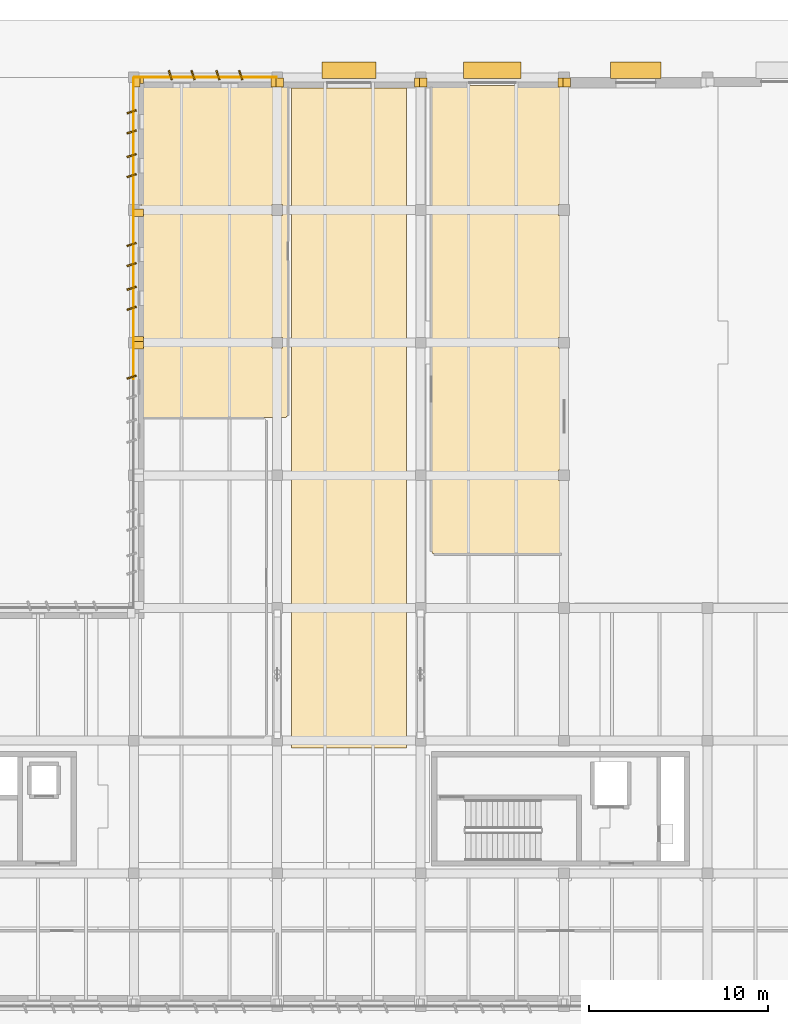
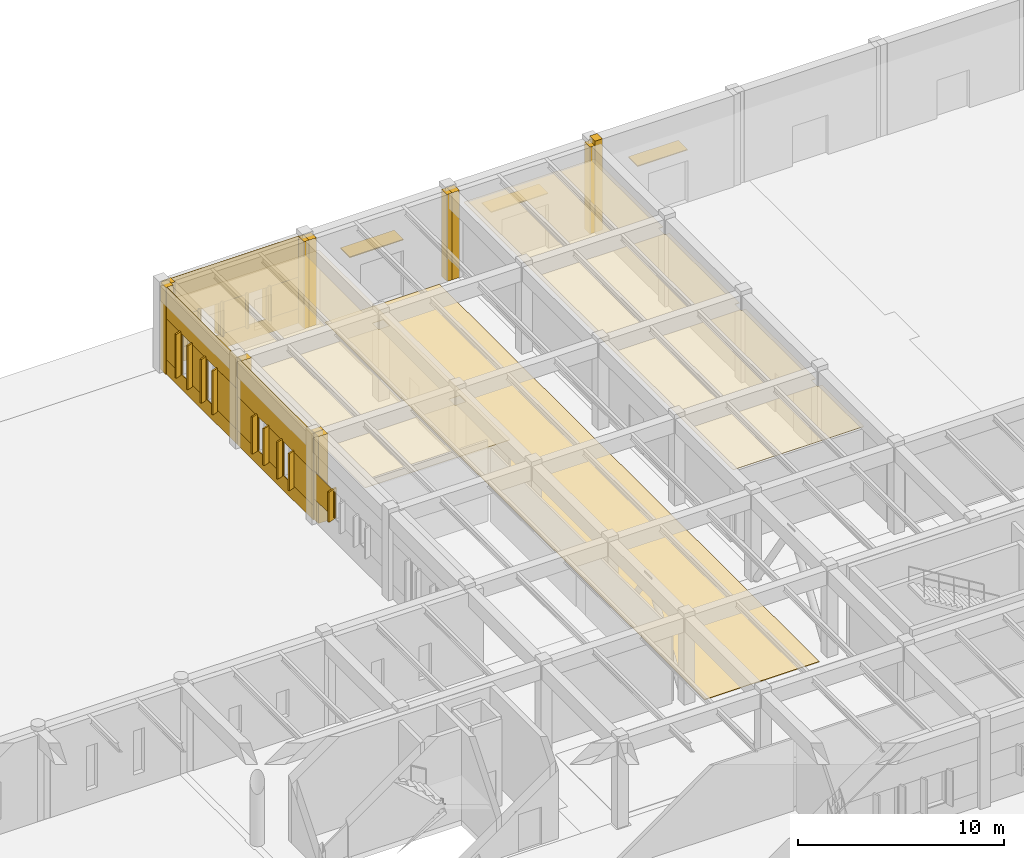
# One storey, part 51 of 56: 43 coverings, 3 shading devices.
"""IFC4 building model written with IfcOpenShell, lengths in metres."""

from ifc_helpers import new_model, si_unit, direction, frame, frame_2d, origin, origin_2d, place, context, subcontext, project, spatial, polyline, rectangle, outline, extrude, material, layer, layer_set, type_object, element, save


model = new_model("IFC4")

# Units and contexts
model_context = context("Model", 3, precision=1e-05, world=origin(), true_north=direction((0.0, 1.0)))
body_context = subcontext(model_context, "Body", "Model", "MODEL_VIEW")
ifc_project = project(units=[si_unit("LENGTHUNIT", "METRE"), si_unit("AREAUNIT", "SQUARE_METRE"), si_unit("VOLUMEUNIT", "CUBIC_METRE"), si_unit("PLANEANGLEUNIT", "RADIAN"), si_unit("MASSUNIT", "GRAM", prefix="KILO")], contexts=[model_context])

# Site, building, storey
site_placement = place(None, origin())
site = spatial("IfcSite", under=ifc_project, at=site_placement, CompositionType="ELEMENT")
building_placement = place(site_placement, origin())
building = spatial("IfcBuilding", under=site, at=building_placement, Name="Valkorina Park Police Headquarters", CompositionType="ELEMENT")
storey_placement = place(building_placement, origin())
storey = spatial("IfcBuildingStorey", under=building, at=storey_placement, Name="L01", CompositionType="ELEMENT", Elevation=0.0)

# Coverings
ifc_material_1 = material(Name="Acoustic mineral board")
ifc_layer_1 = layer(ifc_material_1, 0.02490234375)
ifc_layer_set_1 = layer_set([ifc_layer_1], Name="Acoustic mineral board")
covering_type_1 = type_object("IfcCoveringType", Name="COV-CEILING-ACOUST", PredefinedType="CEILING", material=ifc_layer_set_1)
covering_1_placement = place(storey_placement, frame((0.0, 0.0, 4.264892578125)))
element("IfcCovering", 1, at=covering_1_placement, inside=storey, type_object=covering_type_1, Name="Defensive Tactics Dojo Acoustic Suspended Ceiling", PredefinedType="CEILING", context=body_context, shape_type="SweptSolid", body=[
    extrude(outline(polyline([(120.758544921875, 103.92431640625), (120.759521484375, 103.93212890625), (120.760009765625, 103.93994140625), (120.760009765625, 110.47998046875), (120.759521484375, 110.48779296875), (120.758544921875, 110.49560546875), (120.756591796875, 110.503173828125), (120.75390625, 110.510498046875), (120.75048828125, 110.517578125), (120.74658203125, 110.5244140625), (120.74169921875, 110.53076171875), (120.736572265625, 110.53662109375), (120.730712890625, 110.541748046875), (120.724365234375, 110.54638671875), (120.7177734375, 110.550537109375), (120.710693359375, 110.553955078125), (120.703125, 110.556640625), (120.695556640625, 110.55859375), (120.687744140625, 110.5595703125), (120.679931640625, 110.56005859375), (113.52001953125, 110.56005859375), (113.51220703125, 110.5595703125), (113.50439453125, 110.55859375), (113.496826171875, 110.556640625), (113.489501953125, 110.553955078125), (113.482421875, 110.550537109375), (113.4755859375, 110.54638671875), (113.46923828125, 110.541748046875), (113.46337890625, 110.53662109375), (113.458251953125, 110.53076171875), (113.45361328125, 110.5244140625), (113.449462890625, 110.517578125), (113.446044921875, 110.510498046875), (113.443359375, 110.503173828125), (113.44140625, 110.49560546875), (113.4404296875, 110.48779296875), (113.43994140625, 110.47998046875), (113.43994140625, 84.52001953125), (113.4404296875, 84.51220703125), (113.44140625, 84.50439453125), (113.443359375, 84.496826171875), (113.446044921875, 84.489501953125), (113.449462890625, 84.482421875), (113.45361328125, 84.4755859375), (113.458251953125, 84.46923828125), (113.46337890625, 84.46337890625), (113.46923828125, 84.458251953125), (113.4755859375, 84.45361328125), (113.482421875, 84.449462890625), (113.489501953125, 84.446044921875), (113.496826171875, 84.443359375), (113.50439453125, 84.44140625), (113.51220703125, 84.4404296875), (113.52001953125, 84.43994140625), (120.679931640625, 84.43994140625), (120.687744140625, 84.4404296875), (120.695556640625, 84.44140625), (120.703125, 84.443359375), (120.710693359375, 84.446044921875), (120.7177734375, 84.449462890625), (120.724365234375, 84.45361328125), (120.730712890625, 84.458251953125), (120.736572265625, 84.46337890625), (120.74169921875, 84.46923828125), (120.74658203125, 84.4755859375), (120.75048828125, 84.482421875), (120.75390625, 84.489501953125), (120.756591796875, 84.496826171875), (120.758544921875, 84.50439453125), (120.759521484375, 84.51220703125), (120.760009765625, 84.52001953125), (120.760009765625, 88.4599609375), (120.759521484375, 88.4677734375), (120.758544921875, 88.4755859375), (120.756591796875, 88.483154296875), (120.75390625, 88.490478515625), (120.75048828125, 88.497802734375), (120.749267578125, 88.5), (120.5, 88.5), (120.5, 89.10009765625), (120.749267578125, 89.10009765625), (120.75048828125, 89.102294921875), (120.75390625, 89.109375), (120.756591796875, 89.11669921875), (120.758544921875, 89.12451171875), (120.759521484375, 89.132080078125), (120.760009765625, 89.139892578125), (120.760009765625, 95.860107421875), (120.759521484375, 95.867919921875), (120.758544921875, 95.87548828125), (120.756591796875, 95.88330078125), (120.75390625, 95.890625), (120.75048828125, 95.897705078125), (120.749267578125, 95.89990234375), (120.5, 95.89990234375), (120.5, 96.5), (120.749267578125, 96.5), (120.75048828125, 96.502197265625), (120.75390625, 96.509521484375), (120.756591796875, 96.516845703125), (120.758544921875, 96.5244140625), (120.759521484375, 96.5322265625), (120.760009765625, 96.5400390625), (120.760009765625, 103.260009765625), (120.759521484375, 103.267822265625), (120.758544921875, 103.275634765625), (120.756591796875, 103.283203125), (120.75390625, 103.29052734375), (120.75048828125, 103.297607421875), (120.749267578125, 103.300048828125), (120.5, 103.300048828125), (120.5, 103.89990234375), (120.749267578125, 103.89990234375), (120.75048828125, 103.90234375), (120.75390625, 103.909423828125), (120.756591796875, 103.916748046875), (120.758544921875, 103.92431640625)])), origin(), (0.0, 0.0, 1.0), 0.025146484375),
])
covering_2_placement = place(storey_placement, frame((0.0, 0.0, 4.264892578125)))
element("IfcCovering", 2, at=covering_2_placement, inside=storey, type_object=covering_type_1, Name="Officer Female Locker and Shower Room Acoustic Suspended Ceiling", PredefinedType="CEILING", context=body_context, shape_type="SweptSolid", body=[
    extrude(outline(polyline([(105.3583984375, 92.1044921875), (105.359619140625, 92.1123046875), (105.360107421875, 92.1201171875), (105.360107421875, 110.47998046875), (105.359619140625, 110.48779296875), (105.3583984375, 110.49560546875), (105.356689453125, 110.503173828125), (105.35400390625, 110.510498046875), (105.3505859375, 110.517578125), (105.346435546875, 110.5244140625), (105.341796875, 110.53076171875), (105.336669921875, 110.53662109375), (105.330810546875, 110.541748046875), (105.324462890625, 110.54638671875), (105.317626953125, 110.550537109375), (105.310546875, 110.553955078125), (105.30322265625, 110.556640625), (105.295654296875, 110.55859375), (105.287841796875, 110.5595703125), (105.280029296875, 110.56005859375), (97.320068359375, 110.56005859375), (97.312255859375, 110.5595703125), (97.304443359375, 110.55859375), (97.296875, 110.556640625), (97.289306640625, 110.553955078125), (97.2822265625, 110.550537109375), (97.275634765625, 110.54638671875), (97.269287109375, 110.541748046875), (97.263427734375, 110.53662109375), (97.25830078125, 110.53076171875), (97.25341796875, 110.5244140625), (97.24951171875, 110.517578125), (97.24609375, 110.510498046875), (97.243408203125, 110.503173828125), (97.241455078125, 110.49560546875), (97.240478515625, 110.48779296875), (97.239990234375, 110.47998046875), (97.239990234375, 92.1201171875), (97.240478515625, 92.1123046875), (97.241455078125, 92.1044921875), (97.243408203125, 92.0966796875), (97.24609375, 92.08935546875), (97.24951171875, 92.082275390625), (97.25341796875, 92.07568359375), (97.25830078125, 92.069091796875), (97.263427734375, 92.0634765625), (97.269287109375, 92.05810546875), (97.275634765625, 92.053466796875), (97.2822265625, 92.04931640625), (97.289306640625, 92.046142578125), (97.296875, 92.04345703125), (97.304443359375, 92.04150390625), (97.312255859375, 92.040283203125), (97.320068359375, 92.0400390625), (105.280029296875, 92.0400390625), (105.287841796875, 92.040283203125), (105.295654296875, 92.04150390625), (105.30322265625, 92.04345703125), (105.310546875, 92.046142578125), (105.317626953125, 92.04931640625), (105.324462890625, 92.053466796875), (105.330810546875, 92.05810546875), (105.336669921875, 92.0634765625), (105.341796875, 92.069091796875), (105.346435546875, 92.07568359375), (105.3505859375, 92.082275390625), (105.35400390625, 92.08935546875), (105.356689453125, 92.0966796875), (105.3583984375, 92.1044921875)]), holes=[polyline([(105.10009765625, 95.89990234375), (104.5, 95.89990234375), (104.5, 96.5), (105.10009765625, 96.5), (105.10009765625, 95.89990234375)]), polyline([(105.10009765625, 103.300048828125), (104.5, 103.300048828125), (104.5, 103.89990234375), (105.10009765625, 103.89990234375), (105.10009765625, 103.300048828125)])]), origin(), (0.0, 0.0, 1.0), 0.025146484375),
])
ifc_material_2 = material(Name="Precast concrete C40/50", Category="concrete")
ifc_layer_2 = layer(ifc_material_2, 0.044921875)
ifc_layer_set_2 = layer_set([ifc_layer_2], Name="Precast concrete C40/50")
covering_type_2 = type_object("IfcCoveringType", Name="COV-CLAD-DOLOMITE", PredefinedType="CLADDING", material=ifc_layer_set_2)
covering_3_placement = place(storey_placement, frame((97.090087890625, 96.06005859375, 0.0), z_axis=(0.0, 0.0, 1.0), x_axis=(0.0, 1.0, 0.0)))
element("IfcCovering", 3, at=covering_3_placement, inside=storey, type_object=covering_type_2, Name="L01 Exterior Joint Closure Pilaster B 0388", PredefinedType="CLADDING", context=body_context, shape_type="SweptSolid", body=[
    extrude(rectangle(XDim=0.419921875, YDim=0.52197265625, at=origin_2d()), origin(), (0.0, 0.0, 1.0), 5.139892578125),
])
covering_4_placement = place(storey_placement, frame((96.679931640625, 94.280517578125, 1.22998046875), z_axis=(0.0, 0.0, 1.0), x_axis=(-0.948323655206, -0.317304656405, 0.0)))
element("IfcCovering", 4, at=covering_4_placement, inside=storey, type_object=covering_type_2, Name="Slanted 18.5-deg Precast Window Slot Fin 0392", PredefinedType="CLADDING", context=body_context, shape_type="SweptSolid", body=[
    extrude(rectangle(XDim=0.5400390625, YDim=0.090087890625, at=origin_2d()), origin(), (0.0, 0.0, 1.0), 1.7900390625),
])
covering_5_placement = place(storey_placement, frame((96.784912109375, 94.17041015625, 1.320068359375), z_axis=(0.0, 0.0, 1.0), x_axis=(0.0, 1.0, 0.0)))
element("IfcCovering", 5, at=covering_5_placement, inside=storey, type_object=covering_type_2, Name="L01 Calm Concrete Base Slot Pier 0397", PredefinedType="CLADDING", context=body_context, shape_type="SweptSolid", body=[
    extrude(rectangle(XDim=2.009521484375, YDim=0.044921875, at=frame_2d((1.0048828125, 0.0))), origin(), (0.0, 0.0, 1.0), 1.60986328125),
])
for number, where, z_axis, x_axis, name in (
    (6, (97.090087890625, 96.340087890625, 0.0), (0.0, 0.0, 1.0), (0.0, 1.0, 0.0), "L01 Exterior Joint Closure Pilaster A 0398"),
    (7, (97.090087890625, 103.4599609375, 0.0), (0.0, 0.0, 1.0), (0.0, 1.0, 0.0), "L01 Exterior Joint Closure Pilaster B 0399"),
):
    element("IfcCovering", number, at=place(storey_placement, frame(where, z_axis=z_axis, x_axis=x_axis)), inside=storey, type_object=covering_type_2, Name=name, PredefinedType="CLADDING", context=body_context, shape_type="SweptSolid", body=[
        extrude(rectangle(XDim=0.419921875, YDim=0.52197265625, at=origin_2d()), origin(), (0.0, 0.0, 1.0), 5.139892578125),
    ])
for number, where, z_axis, x_axis, name in (
    (8, (96.679931640625, 98.11962890625, 0.780029296875), (0.0, 0.0, 1.0), (-0.948323655206, -0.317304656405, 0.0), "Slanted 18.5-deg Precast Window Slot Fin 0400"),
    (9, (96.679931640625, 99.239501953125, 0.780029296875), (0.0, 0.0, 1.0), (-0.948323655206, -0.317304656405, 0.0), "Slanted 18.5-deg Precast Window Slot Fin 0401"),
    (10, (96.679931640625, 100.560302734375, 0.780029296875), (0.0, 0.0, 1.0), (-0.948323655206, -0.317304656405, 0.0), "Slanted 18.5-deg Precast Window Slot Fin 0402"),
    (11, (96.679931640625, 101.680419921875, 0.780029296875), (0.0, 0.0, 1.0), (-0.948323655206, -0.317304656405, 0.0), "Slanted 18.5-deg Precast Window Slot Fin 0403"),
):
    element("IfcCovering", number, at=place(storey_placement, frame(where, z_axis=z_axis, x_axis=x_axis)), inside=storey, type_object=covering_type_2, Name=name, PredefinedType="CLADDING", context=body_context, shape_type="SweptSolid", body=[
        extrude(rectangle(XDim=0.5400390625, YDim=0.090087890625, at=origin_2d()), origin(), (0.0, 0.0, 1.0), 2.18994140625),
    ])
covering_6_placement = place(storey_placement, frame((96.784912109375, 96.219970703125, 0.0), z_axis=(0.0, 0.0, 1.0), x_axis=(0.0, 1.0, 0.0)))
element("IfcCovering", 12, at=covering_6_placement, inside=storey, type_object=covering_type_2, Name="L01 Calm Concrete Base Sill Spandrel 0404", PredefinedType="CLADDING", context=body_context, shape_type="SweptSolid", body=[
    extrude(rectangle(XDim=7.360107421875, YDim=0.044921875, at=frame_2d((3.68017578125, 0.0))), origin(), (0.0, 0.0, 1.0), 0.8701171875),
])
covering_7_placement = place(storey_placement, frame((96.784912109375, 96.219970703125, 2.8798828125), z_axis=(0.0, 0.0, 1.0), x_axis=(0.0, 1.0, 0.0)))
element("IfcCovering", 13, at=covering_7_placement, inside=storey, type_object=covering_type_2, Name="L01 Calm Concrete Base Lintel Spandrel 0405", PredefinedType="CLADDING", context=body_context, shape_type="SweptSolid", body=[
    extrude(rectangle(XDim=7.360107421875, YDim=0.044921875, at=frame_2d((3.68017578125, 0.0))), origin(), (0.0, 0.0, 1.0), 2.260009765625),
])
covering_8_placement = place(storey_placement, frame((96.784912109375, 96.219970703125, 0.8701171875), z_axis=(0.0, 0.0, 1.0), x_axis=(0.0, 1.0, 0.0)))
element("IfcCovering", 14, at=covering_8_placement, inside=storey, type_object=covering_type_2, Name="L01 Calm Concrete Base Slot Pier 0406", PredefinedType="CLADDING", context=body_context, shape_type="SweptSolid", body=[
    extrude(rectangle(XDim=2.009521484375, YDim=0.044921875, at=frame_2d((1.0048828125, 0.0))), origin(), (0.0, 0.0, 1.0), 2.009765625),
])
covering_9_placement = place(storey_placement, frame((96.784912109375, 99.129638671875, 0.8701171875), z_axis=(0.0, 0.0, 1.0), x_axis=(0.0, 1.0, 0.0)))
element("IfcCovering", 15, at=covering_9_placement, inside=storey, type_object=covering_type_2, Name="L01 Calm Concrete Base Slot Pier 0407", PredefinedType="CLADDING", context=body_context, shape_type="SweptSolid", body=[
    extrude(rectangle(XDim=1.540771484375, YDim=0.044921875, at=frame_2d((0.7705078125, 0.0))), origin(), (0.0, 0.0, 1.0), 2.009765625),
])
covering_10_placement = place(storey_placement, frame((96.784912109375, 101.5703125, 0.8701171875), z_axis=(0.0, 0.0, 1.0), x_axis=(0.0, 1.0, 0.0)))
element("IfcCovering", 16, at=covering_10_placement, inside=storey, type_object=covering_type_2, Name="L01 Calm Concrete Base Slot Pier 0408", PredefinedType="CLADDING", context=body_context, shape_type="SweptSolid", body=[
    extrude(rectangle(XDim=2.009765625, YDim=0.044921875, at=frame_2d((1.0048828125, 0.0))), origin(), (0.0, 0.0, 1.0), 2.009765625),
])
covering_11_placement = place(storey_placement, frame((97.090087890625, 110.860107421875, 0.0), z_axis=(0.0, 0.0, 1.0), x_axis=(0.0, 1.0, 0.0)))
element("IfcCovering", 17, at=covering_11_placement, inside=storey, type_object=covering_type_2, Name="L01 Exterior Joint Closure Pilaster B 0409", PredefinedType="CLADDING", context=body_context, shape_type="SweptSolid", body=[
    extrude(rectangle(XDim=0.419921875, YDim=0.52197265625, at=origin_2d()), origin(), (0.0, 0.0, 1.0), 5.139892578125),
])
for number, where, z_axis, x_axis, name in (
    (18, (96.679931640625, 105.51953125, 0.77978515625), (0.0, 0.0, 1.0), (-0.948323655206, -0.317304656405, 0.0), "Slanted 18.5-deg Precast Window Slot Fin 0410"),
    (19, (96.679931640625, 106.6396484375, 0.77978515625), (0.0, 0.0, 1.0), (-0.948323655206, -0.317304656405, 0.0), "Slanted 18.5-deg Precast Window Slot Fin 0411"),
    (20, (96.679931640625, 107.96044921875, 0.77978515625), (0.0, 0.0, 1.0), (-0.948323655206, -0.317304656405, 0.0), "Slanted 18.5-deg Precast Window Slot Fin 0412"),
    (21, (96.679931640625, 109.080322265625, 0.77978515625), (0.0, 0.0, 1.0), (-0.948323655206, -0.317304656405, 0.0), "Slanted 18.5-deg Precast Window Slot Fin 0413"),
):
    element("IfcCovering", number, at=place(storey_placement, frame(where, z_axis=z_axis, x_axis=x_axis)), inside=storey, type_object=covering_type_2, Name=name, PredefinedType="CLADDING", context=body_context, shape_type="SweptSolid", body=[
        extrude(rectangle(XDim=0.5400390625, YDim=0.090087890625, at=origin_2d()), origin(), (0.0, 0.0, 1.0), 2.590087890625),
    ])
covering_12_placement = place(storey_placement, frame((96.784912109375, 103.6201171875, 0.0), z_axis=(0.0, 0.0, 1.0), x_axis=(0.0, 1.0, 0.0)))
element("IfcCovering", 22, at=covering_12_placement, inside=storey, type_object=covering_type_2, Name="L01 Calm Concrete Base Sill Spandrel 0414", PredefinedType="CLADDING", context=body_context, shape_type="SweptSolid", body=[
    extrude(rectangle(XDim=7.35986328125, YDim=0.044921875, at=frame_2d((3.679931640625, 0.0))), origin(), (0.0, 0.0, 1.0), 0.8701171875),
])
covering_13_placement = place(storey_placement, frame((96.784912109375, 103.6201171875, 3.280029296875), z_axis=(0.0, 0.0, 1.0), x_axis=(0.0, 1.0, 0.0)))
element("IfcCovering", 23, at=covering_13_placement, inside=storey, type_object=covering_type_2, Name="L01 Calm Concrete Base Lintel Spandrel 0415", PredefinedType="CLADDING", context=body_context, shape_type="SweptSolid", body=[
    extrude(rectangle(XDim=7.35986328125, YDim=0.044921875, at=frame_2d((3.679931640625, 0.0))), origin(), (0.0, 0.0, 1.0), 1.85986328125),
])
covering_14_placement = place(storey_placement, frame((96.784912109375, 103.6201171875, 0.8701171875), z_axis=(0.0, 0.0, 1.0), x_axis=(0.0, 1.0, 0.0)))
element("IfcCovering", 24, at=covering_14_placement, inside=storey, type_object=covering_type_2, Name="L01 Calm Concrete Base Slot Pier 0416", PredefinedType="CLADDING", context=body_context, shape_type="SweptSolid", body=[
    extrude(rectangle(XDim=2.009521484375, YDim=0.044921875, at=frame_2d((1.0048828125, 0.0))), origin(), (0.0, 0.0, 1.0), 2.409912109375),
])
covering_15_placement = place(storey_placement, frame((96.784912109375, 106.529541015625, 0.8701171875), z_axis=(0.0, 0.0, 1.0), x_axis=(0.0, 1.0, 0.0)))
element("IfcCovering", 25, at=covering_15_placement, inside=storey, type_object=covering_type_2, Name="L01 Calm Concrete Base Slot Pier 0417", PredefinedType="CLADDING", context=body_context, shape_type="SweptSolid", body=[
    extrude(rectangle(XDim=1.540771484375, YDim=0.044921875, at=frame_2d((0.7705078125, 0.0))), origin(), (0.0, 0.0, 1.0), 2.409912109375),
])
covering_16_placement = place(storey_placement, frame((96.784912109375, 108.970458984375, 0.8701171875), z_axis=(0.0, 0.0, 1.0), x_axis=(0.0, 1.0, 0.0)))
element("IfcCovering", 26, at=covering_16_placement, inside=storey, type_object=covering_type_2, Name="L01 Calm Concrete Base Slot Pier 0418", PredefinedType="CLADDING", context=body_context, shape_type="SweptSolid", body=[
    extrude(rectangle(XDim=2.009521484375, YDim=0.044921875, at=frame_2d((1.0048828125, 0.0))), origin(), (0.0, 0.0, 1.0), 2.409912109375),
])
for number, where, z_axis, x_axis, name in (
    (27, (96.93994140625, 110.7099609375, 0.0), (0.0, 0.0, 1.0), (1.0, 0.0, 0.0), "L01 Exterior Joint Closure Pilaster A 0419"),
    (28, (104.659912109375, 110.7099609375, 0.0), (0.0, 0.0, 1.0), (1.0, 0.0, 0.0), "L01 Exterior Joint Closure Pilaster B 0420"),
):
    element("IfcCovering", number, at=place(storey_placement, frame(where, z_axis=z_axis, x_axis=x_axis)), inside=storey, type_object=covering_type_2, Name=name, PredefinedType="CLADDING", context=body_context, shape_type="SweptSolid", body=[
        extrude(rectangle(XDim=0.419921875, YDim=0.52197265625, at=origin_2d()), origin(), (0.0, 0.0, 1.0), 5.139892578125),
    ])
for number, where, z_axis, x_axis, name in (
    (29, (98.836669921875, 111.1201171875, 0.780029296875), (0.0, 0.0, 1.0), (-0.317304656405, 0.948323655206, 0.0), "Slanted 18.5-deg Precast Window Slot Fin 0421"),
    (30, (100.106689453125, 111.1201171875, 0.780029296875), (0.0, 0.0, 1.0), (-0.317304656405, 0.948323655206, 0.0), "Slanted 18.5-deg Precast Window Slot Fin 0422"),
    (31, (101.493408203125, 111.1201171875, 0.780029296875), (0.0, 0.0, 1.0), (-0.317304656405, 0.948323655206, 0.0), "Slanted 18.5-deg Precast Window Slot Fin 0423"),
    (32, (102.763427734375, 111.1201171875, 0.780029296875), (0.0, 0.0, 1.0), (-0.317304656405, 0.948323655206, 0.0), "Slanted 18.5-deg Precast Window Slot Fin 0424"),
):
    element("IfcCovering", number, at=place(storey_placement, frame(where, z_axis=z_axis, x_axis=x_axis)), inside=storey, type_object=covering_type_2, Name=name, PredefinedType="CLADDING", context=body_context, shape_type="SweptSolid", body=[
        extrude(rectangle(XDim=0.5400390625, YDim=0.090087890625, at=origin_2d()), origin(), (0.0, 0.0, 1.0), 2.0400390625),
    ])
covering_17_placement = place(storey_placement, frame((96.820068359375, 111.014892578125, 0.0), z_axis=(0.0, 0.0, 1.0), x_axis=(1.0, 0.0, 0.0)))
element("IfcCovering", 33, at=covering_17_placement, inside=storey, type_object=covering_type_2, Name="L01 Calm Concrete Base Sill Spandrel 0425", PredefinedType="CLADDING", context=body_context, shape_type="SweptSolid", body=[
    extrude(rectangle(XDim=7.9599609375, YDim=0.044921875, at=frame_2d((3.97998046875, 0.0))), origin(), (0.0, 0.0, 1.0), 0.8701171875),
])
covering_18_placement = place(storey_placement, frame((96.820068359375, 111.014892578125, 2.72998046875), z_axis=(0.0, 0.0, 1.0), x_axis=(1.0, 0.0, 0.0)))
element("IfcCovering", 34, at=covering_18_placement, inside=storey, type_object=covering_type_2, Name="L01 Calm Concrete Base Lintel Spandrel 0426", PredefinedType="CLADDING", context=body_context, shape_type="SweptSolid", body=[
    extrude(rectangle(XDim=7.9599609375, YDim=0.044921875, at=frame_2d((3.97998046875, 0.0))), origin(), (0.0, 0.0, 1.0), 2.409912109375),
])
covering_19_placement = place(storey_placement, frame((96.820068359375, 111.014892578125, 0.8701171875), z_axis=(0.0, 0.0, 1.0), x_axis=(1.0, 0.0, 0.0)))
element("IfcCovering", 35, at=covering_19_placement, inside=storey, type_object=covering_type_2, Name="L01 Calm Concrete Base Slot Pier 0427", PredefinedType="CLADDING", context=body_context, shape_type="SweptSolid", body=[
    extrude(rectangle(XDim=2.12646484375, YDim=0.044921875, at=frame_2d((1.063232421875, 0.0))), origin(), (0.0, 0.0, 1.0), 1.85986328125),
])
covering_20_placement = place(storey_placement, frame((99.99658203125, 111.014892578125, 0.8701171875), z_axis=(0.0, 0.0, 1.0), x_axis=(1.0, 0.0, 0.0)))
element("IfcCovering", 36, at=covering_20_placement, inside=storey, type_object=covering_type_2, Name="L01 Calm Concrete Base Slot Pier 0428", PredefinedType="CLADDING", context=body_context, shape_type="SweptSolid", body=[
    extrude(rectangle(XDim=1.60693359375, YDim=0.044921875, at=frame_2d((0.803466796875, 0.0))), origin(), (0.0, 0.0, 1.0), 1.85986328125),
])
covering_21_placement = place(storey_placement, frame((102.6533203125, 111.014892578125, 0.8701171875), z_axis=(0.0, 0.0, 1.0), x_axis=(1.0, 0.0, 0.0)))
element("IfcCovering", 37, at=covering_21_placement, inside=storey, type_object=covering_type_2, Name="L01 Calm Concrete Base Slot Pier 0429", PredefinedType="CLADDING", context=body_context, shape_type="SweptSolid", body=[
    extrude(rectangle(XDim=2.126708984375, YDim=0.044921875, at=frame_2d((1.0634765625, 0.0))), origin(), (0.0, 0.0, 1.0), 1.85986328125),
])
for number, where, z_axis, x_axis, name in (
    (38, (104.93994140625, 110.7099609375, 0.0), (0.0, 0.0, 1.0), (1.0, 0.0, 0.0), "L01 Exterior Joint Closure Pilaster A 0430"),
    (39, (112.659912109375, 110.7099609375, 0.0), (0.0, 0.0, 1.0), (1.0, 0.0, 0.0), "L01 Exterior Joint Closure Pilaster B 0431"),
    (40, (112.93994140625, 110.7099609375, 0.0), (0.0, 0.0, 1.0), (1.0, 0.0, 0.0), "L01 Exterior Joint Closure Pilaster A 0432"),
    (41, (120.659912109375, 110.7099609375, 0.0), (0.0, 0.0, 1.0), (1.0, 0.0, 0.0), "L01 Exterior Joint Closure Pilaster B 0433"),
):
    element("IfcCovering", number, at=place(storey_placement, frame(where, z_axis=z_axis, x_axis=x_axis)), inside=storey, type_object=covering_type_2, Name=name, PredefinedType="CLADDING", context=body_context, shape_type="SweptSolid", body=[
        extrude(rectangle(XDim=0.419921875, YDim=0.52197265625, at=origin_2d()), origin(), (0.0, 0.0, 1.0), 5.139892578125),
    ])
covering_22_placement = place(storey_placement, frame((120.93994140625, 110.7099609375, 0.0), z_axis=(0.0, 0.0, 1.0), x_axis=(1.0, 0.0, 0.0)))
element("IfcCovering", 42, at=covering_22_placement, inside=storey, type_object=covering_type_2, Name="L01 Exterior Joint Closure Pilaster A 0434", PredefinedType="CLADDING", context=body_context, shape_type="SweptSolid", body=[
    extrude(rectangle(XDim=0.419921875, YDim=0.52197265625, at=origin_2d()), origin(), (0.0, 0.0, 1.0), 5.39990234375),
])
ifc_material_3 = material(Name="Resin terrazzo flooring")
ifc_layer_3 = layer(ifc_material_3, 0.030029296875)
ifc_layer_set_3 = layer_set([ifc_layer_3], Name="Resin terrazzo flooring")
covering_type_3 = type_object("IfcCoveringType", Name="COV-FLOOR-TERRAZZO", PredefinedType="FLOORING", material=ifc_layer_set_3)
covering_23_placement = place(storey_placement, origin())
element("IfcCovering", 43, at=covering_23_placement, inside=storey, type_object=covering_type_3, Name="Gymnasium Protected North Exit Corridor Terrazzo Flooring", PredefinedType="FLOORING", context=body_context, shape_type="SweptSolid", body=[
    extrude(outline(polyline([(112.0, 110.39990234375), (105.60009765625, 110.39990234375), (105.60009765625, 73.60009765625), (112.0, 73.60009765625), (112.0, 110.39990234375)])), origin(), (0.0, 0.0, 1.0), 0.030029296875),
])

# Shading devices
ifc_material_4 = material(Name="Polychrome anodized aluminium - Baltic Amber", Category="aluminium")
ifc_layer_4 = layer(ifc_material_4, 0.054931640625)
ifc_layer_set_4 = layer_set([ifc_layer_4], Name="Polychrome anodized aluminium - Baltic Amber")
shading_device_type = type_object("IfcShadingDeviceType", Name="SHD-CANOPY-SUNSHADE", PredefinedType="JALOUSIE", material=ifc_layer_set_4)
shading_device_1_placement = place(storey_placement, frame((108.800048828125, 111.39990234375, 2.892578125), z_axis=(0.0, 0.0, 1.0), x_axis=(1.0, 0.0, 0.0)))
element("IfcShadingDevice", 44, at=shading_device_1_placement, inside=storey, type_object=shading_device_type, Name="L01 Entrance Canopy Sunshade 006", PredefinedType="JALOUSIE", context=body_context, shape_type="SweptSolid", body=[
    extrude(rectangle(XDim=3.0, YDim=0.89990234375, at=origin_2d()), origin(), (0.0, 0.0, 1.0), 0.054931640625),
])
shading_device_2_placement = place(storey_placement, frame((116.800048828125, 111.39990234375, 2.79248046875), z_axis=(0.0, 0.0, 1.0), x_axis=(1.0, 0.0, 0.0)))
element("IfcShadingDevice", 45, at=shading_device_2_placement, inside=storey, type_object=shading_device_type, Name="L01 Entrance Canopy Sunshade 007", PredefinedType="JALOUSIE", context=body_context, shape_type="SweptSolid", body=[
    extrude(rectangle(XDim=3.199951171875, YDim=0.89990234375, at=origin_2d()), origin(), (0.0, 0.0, 1.0), 0.054931640625),
])
shading_device_3_placement = place(storey_placement, frame((124.800048828125, 111.39990234375, 2.642578125), z_axis=(0.0, 0.0, 1.0), x_axis=(1.0, 0.0, 0.0)))
element("IfcShadingDevice", 46, at=shading_device_3_placement, inside=storey, type_object=shading_device_type, Name="L01 Entrance Canopy Sunshade 008", PredefinedType="JALOUSIE", context=body_context, shape_type="SweptSolid", body=[
    extrude(rectangle(XDim=2.800048828125, YDim=0.89990234375, at=origin_2d()), origin(), (0.0, 0.0, 1.0), 0.054931640625),
])

save(model, "model.ifc")
